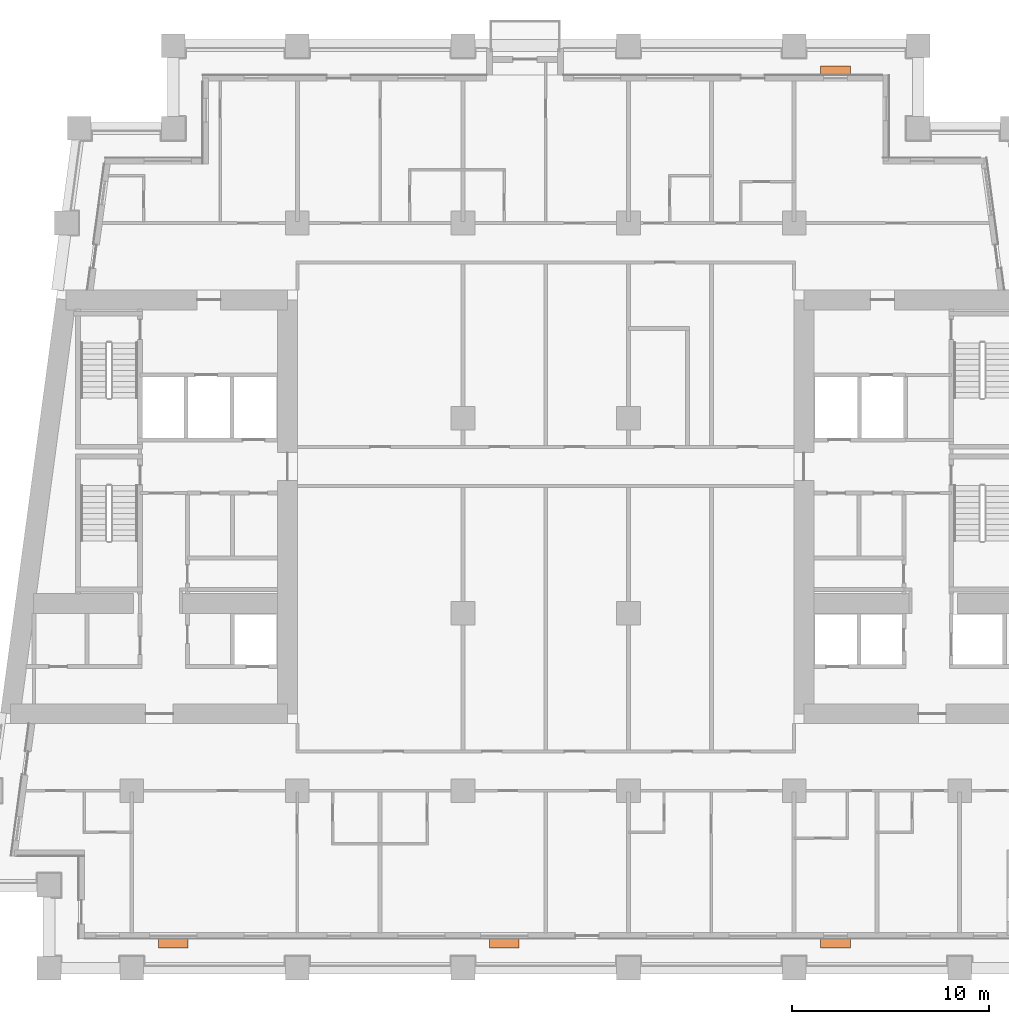
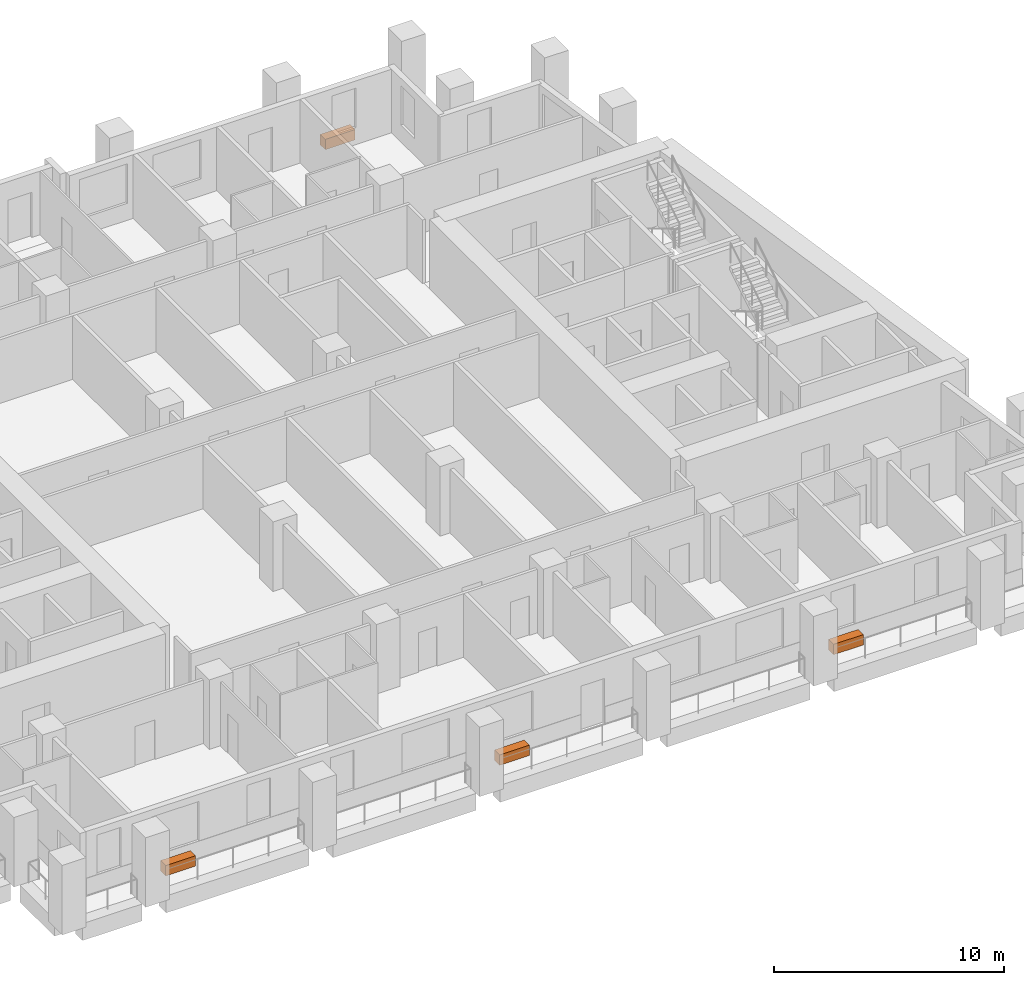
# One storey, part 13 of 13: 4 proxies.
"""IFC4 building model written with IfcOpenShell, lengths in metres."""

from ifc_helpers import new_model, si_unit, direction, frame, origin, origin_2d, place, context, subcontext, project, spatial, rectangle, extrude, element, save


model = new_model("IFC4")

# Units and contexts
model_context = context("Model", 3, precision=1e-05, world=origin(), true_north=direction((0.0, 1.0)))
body_context = subcontext(model_context, "Body", "Model", "MODEL_VIEW")
ifc_project = project(units=[si_unit("LENGTHUNIT", "METRE"), si_unit("AREAUNIT", "SQUARE_METRE"), si_unit("VOLUMEUNIT", "CUBIC_METRE"), si_unit("PLANEANGLEUNIT", "RADIAN"), si_unit("MASSUNIT", "GRAM", prefix="KILO")], contexts=[model_context])

# Site, building, storey
site_placement = place(None, origin())
site = spatial("IfcSite", under=ifc_project, at=site_placement, CompositionType="ELEMENT")
building_placement = place(site_placement, origin())
building = spatial("IfcBuilding", under=site, at=building_placement, Name="Candeia Pilgrim Tower and Theatre", CompositionType="ELEMENT")
storey_placement = place(building_placement, frame((0.0, 0.0, 113.199951171875)))
storey = spatial("IfcBuildingStorey", under=building, at=storey_placement, Name="L26", CompositionType="ELEMENT", Elevation=113.199951171875)

# Proxies
for number, where, z_axis, x_axis, name in (
    (1, (94.5, 99.2548828125, 0.0), (0.0, 0.0, 1.0), (1.0, 0.0, 0.0), "Planter"),
    (2, (111.300048828125, 99.2548828125, 0.0), (0.0, 0.0, 1.0), (1.0, 0.0, 0.0), "Planter"),
    (3, (128.10009765625, 99.2548828125, 0.0), (0.0, 0.0, 1.0), (1.0, 0.0, 0.0), "Planter"),
    (4, (128.10009765625, 143.544921875, 0.0), (0.0, 0.0, 1.0), (-1.0, 0.0, 0.0), "Planter"),
):
    element("IfcBuildingElementProxy", number, at=place(storey_placement, frame(where, z_axis=z_axis, x_axis=x_axis)), inside=storey, Name=name, ObjectType="PLANTER", PredefinedType="USERDEFINED", context=body_context, shape_type="SweptSolid", body=[
        extrude(rectangle(XDim=1.5, YDim=0.449951171875, at=origin_2d()), origin(), (0.0, 0.0, 1.0), 0.550048828125),
    ])

save(model, "model.ifc")
